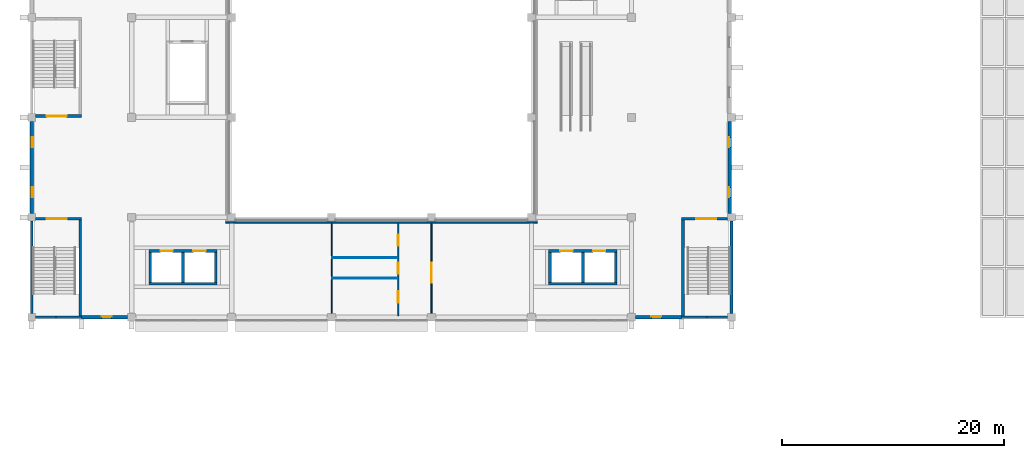
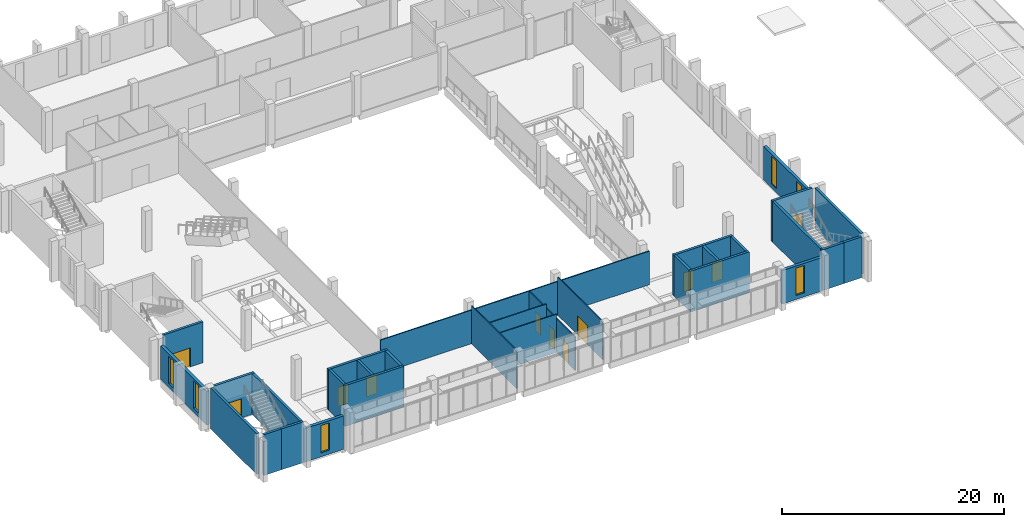
# One storey, part 26 of 45: 31 walls, 11 doors, 6 windows, 17 openings.
"""IFC4 building model written with IfcOpenShell, lengths in metres."""

from ifc_helpers import new_model, si_unit, direction, frame, frame_2d, origin, place, context, subcontext, project, spatial, rectangle, extrude, material, layer, layer_set, type_object, element, fill, save


model = new_model("IFC4")

# Units and contexts
model_context = context("Model", 3, precision=1e-05, world=origin(), true_north=direction((0.0, 1.0)))
body_context = subcontext(model_context, "Body", "Model", "MODEL_VIEW")
ifc_project = project(units=[si_unit("LENGTHUNIT", "METRE"), si_unit("AREAUNIT", "SQUARE_METRE"), si_unit("VOLUMEUNIT", "CUBIC_METRE"), si_unit("PLANEANGLEUNIT", "RADIAN"), si_unit("MASSUNIT", "GRAM", prefix="KILO")], contexts=[model_context])

# Site, building, storey
site_placement = place(None, origin())
site = spatial("IfcSite", under=ifc_project, at=site_placement, CompositionType="ELEMENT")
building_placement = place(site_placement, origin())
building = spatial("IfcBuilding", under=site, at=building_placement, Name="Guidao Yard Department Store", CompositionType="ELEMENT")
storey_placement = place(building_placement, frame((0.0, 0.0, 19.5)))
storey = spatial("IfcBuildingStorey", under=building, at=storey_placement, Name="L04", CompositionType="ELEMENT", Elevation=19.5)

# Walls
ifc_material_1 = material(Name="Moisture-resistant board on Steel Q235 studs", Category="steel")
ifc_layer_1 = layer(ifc_material_1, 0.080078125)
ifc_layer_set_1 = layer_set([ifc_layer_1], Name="Cubicle and Duct Partition P8 80 mm moisture-resistant board")
wall_type_1 = type_object("IfcWallType", Name="Cubicle and Duct Partition P8 80 mm moisture-resistant board", PredefinedType="PARTITIONING", material=ifc_layer_set_1)
for number, where, z_axis, x_axis, name in (
    (1, (27.050048828125, 48.510009765625, 0.0), (0.0, 0.0, 1.0), (1.0, 0.0, 0.0), "Wall W-HL04-004"),
    (2, (27.050048828125, 50.35791015625, 0.0), (0.0, 0.0, 1.0), (1.0, 0.0, 0.0), "Wall W-HL04-005"),
):
    element("IfcWall", number, at=place(storey_placement, frame(where, z_axis=z_axis, x_axis=x_axis)), inside=storey, type_object=wall_type_1, Name=name, PredefinedType="PARTITIONING", context=body_context, shape_type="SweptSolid", body=[
        extrude(rectangle(XDim=5.89990234375, YDim=0.080078125, at=frame_2d((2.949951171875, 0.0))), origin(), (0.0, 0.0, 1.0), 4.199951171875),
    ])
ifc_material_2 = material(Name="Fire-rated glazing in Steel Q235 frame", Category="steel")
ifc_layer_2 = layer(ifc_material_2, 0.1201171875)
ifc_layer_set_2 = layer_set([ifc_layer_2], Name="Fire-Glazed Screen P5 120 mm EI 60")
wall_type_2 = type_object("IfcWallType", Name="Fire-Glazed Screen P5 120 mm EI 60", PredefinedType="PARTITIONING", material=ifc_layer_set_2)
wall_1_placement = place(storey_placement, frame((17.489990234375, 53.550048828125, 0.0), z_axis=(0.0, 0.0, 1.0), x_axis=(1.0, 0.0, 0.0)))
element("IfcWall", 3, at=wall_1_placement, inside=storey, type_object=wall_type_2, Name="Wall W-HL04-006", PredefinedType="PARTITIONING", context=body_context, shape_type="SweptSolid", body=[
    extrude(rectangle(XDim=28.02001953125, YDim=0.1201171875, at=frame_2d((14.010009765625, 0.0))), origin(), (0.0, 0.0, 1.0), 3.699951171875),
])

# Wall, opening, window
ifc_material_3 = material(Name="Concrete C35", Category="concrete")
ifc_layer_3 = layer(ifc_material_3, 0.300048828125)
ifc_layer_set_3 = layer_set([ifc_layer_3], Name="Hall facade wall 300 C35")
wall_type_3 = type_object("IfcWallType", Name="Hall facade wall 300 C35", PredefinedType="SOLIDWALL", material=ifc_layer_set_3)
wall_2_placement = place(storey_placement, frame((8.64990234375, 45.0, 0.0), z_axis=(0.0, 0.0, 1.0), x_axis=(-1.0, 0.0, 0.0)))
wall_2 = element("IfcWall", 4, at=wall_2_placement, inside=storey, type_object=wall_type_3, Name="Hall facade wall", PredefinedType="SOLIDWALL", context=body_context, shape_type="SweptSolid", body=[
    extrude(rectangle(XDim=4.14990234375, YDim=0.300048828125, at=frame_2d((2.074951171875, 0.0))), origin(), (0.0, 0.0, 1.0), 3.699951171875),
])
opening_1_placement = place(wall_2_placement, frame((1.449951171875, 0.0, 0.449951171875)))
opening_1 = element("IfcOpeningElement", 5, at=opening_1_placement, cuts=wall_2, Name="Opening WN-L04-E01", PredefinedType="OPENING", context=body_context, shape_type="SweptSolid", body=[
    extrude(rectangle(XDim=0.89990234375, YDim=3.0, at=frame_2d((0.449951171875, 1.5))), frame((0.0, 0.159912109375, 0.0), z_axis=(0.0, -1.0, 0.0), x_axis=(1.0, 0.0, 0.0)), (0.0, 0.0, 1.0), 0.320068359375),
])
ifc_material_4 = material(Name="Laminated glass in aluminium frame", Category="aluminium")
window_type = type_object("IfcWindowType", Name="Slot window SL1 900 x 3000 fixed", PartitioningType="SINGLE_PANEL", PredefinedType="WINDOW", material=ifc_material_4)
window_1_placement = place(opening_1_placement, origin())
window_1 = element("IfcWindow", 6, at=window_1_placement, inside=storey, type_object=window_type, Name="Slot window", OverallHeight=3.0, OverallWidth=0.89990234375, PartitioningType="SINGLE_PANEL", PredefinedType="WINDOW", context=body_context, shape_type="SweptSolid", body=[
    extrude(rectangle(XDim=0.89990234375, YDim=3.0, at=frame_2d((0.449951171875, 1.5))), frame((0.0, -0.030029296875, 0.0), z_axis=(0.0, -1.0, 0.0), x_axis=(1.0, 0.0, 0.0)), (0.0, 0.0, 1.0), 0.06005859375),
])
fill(opening_1, window_1)

wall_3_placement = place(storey_placement, frame((58.5, 45.0, 0.0), z_axis=(0.0, 0.0, 1.0), x_axis=(-1.0, 0.0, 0.0)))
wall_3 = element("IfcWall", 7, at=wall_3_placement, inside=storey, type_object=wall_type_3, Name="Hall facade wall", PredefinedType="SOLIDWALL", context=body_context, shape_type="SweptSolid", body=[
    extrude(rectangle(XDim=4.14990234375, YDim=0.300048828125, at=frame_2d((2.074951171875, 0.0))), origin(), (0.0, 0.0, 1.0), 3.699951171875),
])
opening_2_placement = place(wall_3_placement, frame((1.800048828125, 0.0, 0.449951171875)))
opening_2 = element("IfcOpeningElement", 8, at=opening_2_placement, cuts=wall_3, Name="Opening WN-L04-E02", PredefinedType="OPENING", context=body_context, shape_type="SweptSolid", body=[
    extrude(rectangle(XDim=0.89990234375, YDim=3.0, at=frame_2d((0.449951171875, 1.5))), frame((0.0, 0.159912109375, 0.0), z_axis=(0.0, -1.0, 0.0), x_axis=(1.0, 0.0, 0.0)), (0.0, 0.0, 1.0), 0.320068359375),
])
window_2_placement = place(opening_2_placement, origin())
window_2 = element("IfcWindow", 9, at=window_2_placement, inside=storey, type_object=window_type, Name="Slot window", OverallHeight=3.0, OverallWidth=0.89990234375, PartitioningType="SINGLE_PANEL", PredefinedType="WINDOW", context=body_context, shape_type="SweptSolid", body=[
    extrude(rectangle(XDim=0.89990234375, YDim=3.0, at=frame_2d((0.449951171875, 1.5))), frame((0.0, -0.030029296875, 0.0), z_axis=(0.0, -1.0, 0.0), x_axis=(1.0, 0.0, 0.0)), (0.0, 0.0, 1.0), 0.06005859375),
])
fill(opening_2, window_2)

# Wall, openings, windows
wall_4_placement = place(storey_placement, frame((0.0, 54.35009765625, 0.0), z_axis=(0.0, 0.0, 1.0), x_axis=(0.0, 1.0, 0.0)))
wall_4 = element("IfcWall", 10, at=wall_4_placement, inside=storey, type_object=wall_type_3, Name="Hall facade wall", PredefinedType="SOLIDWALL", context=body_context, shape_type="SweptSolid", body=[
    extrude(rectangle(XDim=8.2998046875, YDim=0.300048828125, at=frame_2d((4.14990234375, 0.0))), origin(), (0.0, 0.0, 1.0), 3.699951171875),
])
opening_3_placement = place(wall_4_placement, frame((1.449951171875, 0.0, 0.449951171875)))
opening_3 = element("IfcOpeningElement", 11, at=opening_3_placement, cuts=wall_4, Name="Opening WN-L04-E03", PredefinedType="OPENING", context=body_context, shape_type="SweptSolid", body=[
    extrude(rectangle(XDim=0.89990234375, YDim=3.0, at=frame_2d((0.449951171875, 1.5))), frame((0.0, 0.159912109375, 0.0), z_axis=(0.0, -1.0, 0.0), x_axis=(1.0, 0.0, 0.0)), (0.0, 0.0, 1.0), 0.320068359375),
])
opening_4_placement = place(wall_4_placement, frame((5.949951171875, 0.0, 0.449951171875)))
opening_4 = element("IfcOpeningElement", 12, at=opening_4_placement, cuts=wall_4, Name="Opening WN-L04-E04", PredefinedType="OPENING", context=body_context, shape_type="SweptSolid", body=[
    extrude(rectangle(XDim=0.89990234375, YDim=3.0, at=frame_2d((0.449951171875, 1.5))), frame((0.0, 0.159912109375, 0.0), z_axis=(0.0, -1.0, 0.0), x_axis=(1.0, 0.0, 0.0)), (0.0, 0.0, 1.0), 0.320068359375),
])
window_3_placement = place(opening_3_placement, origin())
window_3 = element("IfcWindow", 13, at=window_3_placement, inside=storey, type_object=window_type, Name="Slot window", OverallHeight=3.0, OverallWidth=0.89990234375, PartitioningType="SINGLE_PANEL", PredefinedType="WINDOW", context=body_context, shape_type="SweptSolid", body=[
    extrude(rectangle(XDim=0.89990234375, YDim=3.0, at=frame_2d((0.449951171875, 1.5))), frame((0.0, -0.030029296875, 0.0), z_axis=(0.0, -1.0, 0.0), x_axis=(1.0, 0.0, 0.0)), (0.0, 0.0, 1.0), 0.06005859375),
])
fill(opening_3, window_3)
window_4_placement = place(opening_4_placement, origin())
window_4 = element("IfcWindow", 14, at=window_4_placement, inside=storey, type_object=window_type, Name="Slot window", OverallHeight=3.0, OverallWidth=0.89990234375, PartitioningType="SINGLE_PANEL", PredefinedType="WINDOW", context=body_context, shape_type="SweptSolid", body=[
    extrude(rectangle(XDim=0.89990234375, YDim=3.0, at=frame_2d((0.449951171875, 1.5))), frame((0.0, -0.030029296875, 0.0), z_axis=(0.0, -1.0, 0.0), x_axis=(1.0, 0.0, 0.0)), (0.0, 0.0, 1.0), 0.06005859375),
])
fill(opening_4, window_4)

wall_5_placement = place(storey_placement, frame((62.85009765625, 62.64990234375, 0.0), z_axis=(0.0, 0.0, 1.0), x_axis=(0.0, -1.0, 0.0)))
wall_5 = element("IfcWall", 15, at=wall_5_placement, inside=storey, type_object=wall_type_3, Name="Hall facade wall", PredefinedType="SOLIDWALL", context=body_context, shape_type="SweptSolid", body=[
    extrude(rectangle(XDim=8.2998046875, YDim=0.300048828125, at=frame_2d((4.14990234375, 0.0))), origin(), (0.0, 0.0, 1.0), 3.699951171875),
])
opening_5_placement = place(wall_5_placement, frame((5.949951171875, 0.0, 0.449951171875)))
opening_5 = element("IfcOpeningElement", 16, at=opening_5_placement, cuts=wall_5, Name="Opening WN-L04-E19", PredefinedType="OPENING", context=body_context, shape_type="SweptSolid", body=[
    extrude(rectangle(XDim=0.89990234375, YDim=3.0, at=frame_2d((0.449951171875, 1.5))), frame((0.0, 0.159912109375, 0.0), z_axis=(0.0, -1.0, 0.0), x_axis=(1.0, 0.0, 0.0)), (0.0, 0.0, 1.0), 0.320068359375),
])
opening_6_placement = place(wall_5_placement, frame((1.449951171875, 0.0, 0.449951171875)))
opening_6 = element("IfcOpeningElement", 17, at=opening_6_placement, cuts=wall_5, Name="Opening WN-L04-E20", PredefinedType="OPENING", context=body_context, shape_type="SweptSolid", body=[
    extrude(rectangle(XDim=0.89990234375, YDim=3.0, at=frame_2d((0.449951171875, 1.5))), frame((0.0, 0.159912109375, 0.0), z_axis=(0.0, -1.0, 0.0), x_axis=(1.0, 0.0, 0.0)), (0.0, 0.0, 1.0), 0.320068359375),
])
window_5_placement = place(opening_5_placement, origin())
window_5 = element("IfcWindow", 18, at=window_5_placement, inside=storey, type_object=window_type, Name="Slot window", OverallHeight=3.0, OverallWidth=0.89990234375, PartitioningType="SINGLE_PANEL", PredefinedType="WINDOW", context=body_context, shape_type="SweptSolid", body=[
    extrude(rectangle(XDim=0.89990234375, YDim=3.0, at=frame_2d((0.449951171875, 1.5))), frame((0.0, -0.030029296875, 0.0), z_axis=(0.0, -1.0, 0.0), x_axis=(1.0, 0.0, 0.0)), (0.0, 0.0, 1.0), 0.06005859375),
])
fill(opening_5, window_5)
window_6_placement = place(opening_6_placement, origin())
window_6 = element("IfcWindow", 19, at=window_6_placement, inside=storey, type_object=window_type, Name="Slot window", OverallHeight=3.0, OverallWidth=0.89990234375, PartitioningType="SINGLE_PANEL", PredefinedType="WINDOW", context=body_context, shape_type="SweptSolid", body=[
    extrude(rectangle(XDim=0.89990234375, YDim=3.0, at=frame_2d((0.449951171875, 1.5))), frame((0.0, -0.030029296875, 0.0), z_axis=(0.0, -1.0, 0.0), x_axis=(1.0, 0.0, 0.0)), (0.0, 0.0, 1.0), 0.06005859375),
])
fill(opening_6, window_6)

# Wall, openings, doors
ifc_material_5 = material(Name="Gypsum board on Steel Q235 studs", Category="steel")
ifc_layer_4 = layer(ifc_material_5, 0.10009765625)
ifc_layer_set_4 = layer_set([ifc_layer_4], Name="Partition P1 100 mm gypsum board EI 30")
wall_type_4 = type_object("IfcWallType", Name="Partition P1 100 mm gypsum board EI 30", PredefinedType="PARTITIONING", material=ifc_layer_set_4)
wall_6_placement = place(storey_placement, frame((33.0, 45.14990234375, 0.0), z_axis=(0.0, 0.0, 1.0), x_axis=(0.0, 1.0, 0.0)))
wall_6 = element("IfcWall", 20, at=wall_6_placement, inside=storey, type_object=wall_type_4, Name="Wall W-HL04-001", PredefinedType="PARTITIONING", context=body_context, shape_type="SweptSolid", body=[
    extrude(rectangle(XDim=8.340087890625, YDim=0.10009765625, at=frame_2d((4.169921875, 0.0))), origin(), (0.0, 0.0, 1.0), 3.699951171875),
])
opening_7_placement = place(wall_6_placement, frame((1.179931640625, 0.0, 0.0)))
opening_7 = element("IfcOpeningElement", 21, at=opening_7_placement, cuts=wall_6, Name="Opening HL04-001", PredefinedType="OPENING", context=body_context, shape_type="SweptSolid", body=[
    extrude(rectangle(XDim=1.0, YDim=2.10009765625, at=frame_2d((0.5, 1.050048828125))), frame((0.0, 0.06005859375, 0.0), z_axis=(0.0, -1.0, 0.0), x_axis=(1.0, 0.0, 0.0)), (0.0, 0.0, 1.0), 0.1201171875),
])
opening_8_placement = place(wall_6_placement, frame((3.783935546875, 0.0, 0.0)))
opening_8 = element("IfcOpeningElement", 22, at=opening_8_placement, cuts=wall_6, Name="Opening HL04-003", PredefinedType="OPENING", context=body_context, shape_type="SweptSolid", body=[
    extrude(rectangle(XDim=1.0, YDim=2.10009765625, at=frame_2d((0.5, 1.050048828125))), frame((0.0, 0.06005859375, 0.0), z_axis=(0.0, -1.0, 0.0), x_axis=(1.0, 0.0, 0.0)), (0.0, 0.0, 1.0), 0.1201171875),
])
opening_9_placement = place(wall_6_placement, frame((6.303955078125, 0.0, 0.0)))
opening_9 = element("IfcOpeningElement", 23, at=opening_9_placement, cuts=wall_6, Name="Opening HL04-004", PredefinedType="OPENING", context=body_context, shape_type="SweptSolid", body=[
    extrude(rectangle(XDim=1.0, YDim=2.10009765625, at=frame_2d((0.5, 1.050048828125))), frame((0.0, 0.06005859375, 0.0), z_axis=(0.0, -1.0, 0.0), x_axis=(1.0, 0.0, 0.0)), (0.0, 0.0, 1.0), 0.1201171875),
])
ifc_material_6 = material(Name="Timber door leaf", Category="wood")
door_type_1 = type_object("IfcDoorType", Name="Door AD10 accessible WC 1000 x 2100", OperationType="SINGLE_SWING_LEFT", PredefinedType="DOOR", material=ifc_material_6)
door_1_placement = place(opening_8_placement, origin())
door_1 = element("IfcDoor", 24, at=door_1_placement, inside=storey, type_object=door_type_1, Name="Door HL04-003", OperationType="SINGLE_SWING_RIGHT", OverallHeight=2.10009765625, OverallWidth=1.0, PredefinedType="DOOR", context=body_context, shape_type="SweptSolid", body=[
    extrude(rectangle(XDim=1.0, YDim=2.10009765625, at=frame_2d((0.5, 1.050048828125))), frame((0.0, 0.02490234375, 0.0), z_axis=(0.0, -1.0, 0.0), x_axis=(1.0, 0.0, 0.0)), (0.0, 0.0, 1.0), 0.050048828125),
])
fill(opening_8, door_1)
ifc_material_7 = material(Name="Timber door leaf", Category="wood")
door_type_2 = type_object("IfcDoorType", Name="Door D2 1000 x 2100", OperationType="SINGLE_SWING_LEFT", PredefinedType="DOOR", material=ifc_material_7)
door_2_placement = place(opening_7_placement, origin())
door_2 = element("IfcDoor", 25, at=door_2_placement, inside=storey, type_object=door_type_2, Name="Door HL04-001", OperationType="SINGLE_SWING_LEFT", OverallHeight=2.10009765625, OverallWidth=1.0, PredefinedType="DOOR", context=body_context, shape_type="SweptSolid", body=[
    extrude(rectangle(XDim=1.0, YDim=2.10009765625, at=frame_2d((0.5, 1.050048828125))), frame((0.0, 0.02490234375, 0.0), z_axis=(0.0, -1.0, 0.0), x_axis=(1.0, 0.0, 0.0)), (0.0, 0.0, 1.0), 0.050048828125),
])
fill(opening_7, door_2)
door_3_placement = place(opening_9_placement, origin())
door_3 = element("IfcDoor", 26, at=door_3_placement, inside=storey, type_object=door_type_2, Name="Door HL04-004", OperationType="SINGLE_SWING_RIGHT", OverallHeight=2.10009765625, OverallWidth=1.0, PredefinedType="DOOR", context=body_context, shape_type="SweptSolid", body=[
    extrude(rectangle(XDim=1.0, YDim=2.10009765625, at=frame_2d((0.5, 1.050048828125))), frame((0.0, 0.02490234375, 0.0), z_axis=(0.0, -1.0, 0.0), x_axis=(1.0, 0.0, 0.0)), (0.0, 0.0, 1.0), 0.050048828125),
])
fill(opening_9, door_3)

# Wall
wall_7_placement = place(storey_placement, frame((27.0, 45.35009765625, 0.0), z_axis=(0.0, 0.0, 1.0), x_axis=(0.0, 1.0, 0.0)))
element("IfcWall", 27, at=wall_7_placement, inside=storey, type_object=wall_type_4, Name="Wall W-HL04-002", PredefinedType="PARTITIONING", context=body_context, shape_type="SweptSolid", body=[
    extrude(rectangle(XDim=8.139892578125, YDim=0.10009765625, at=frame_2d((4.06982421875, 0.0))), origin(), (0.0, 0.0, 1.0), 4.199951171875),
])

# Wall, opening, door
wall_8_placement = place(storey_placement, frame((36.0, 45.35009765625, 0.0), z_axis=(0.0, 0.0, 1.0), x_axis=(0.0, 1.0, 0.0)))
wall_8 = element("IfcWall", 28, at=wall_8_placement, inside=storey, type_object=wall_type_4, Name="Wall W-HL04-003", PredefinedType="PARTITIONING", context=body_context, shape_type="SweptSolid", body=[
    extrude(rectangle(XDim=8.139892578125, YDim=0.10009765625, at=frame_2d((4.06982421875, 0.0))), origin(), (0.0, 0.0, 1.0), 4.199951171875),
])
opening_10_placement = place(wall_8_placement, frame((4.550048828125, 0.0, 0.0), z_axis=(0.0, 0.0, 1.0), x_axis=(-1.0, 0.0, 0.0)))
opening_10 = element("IfcOpeningElement", 29, at=opening_10_placement, cuts=wall_8, Name="Opening HL04-002", PredefinedType="OPENING", context=body_context, shape_type="SweptSolid", body=[
    extrude(rectangle(XDim=1.800048828125, YDim=2.10009765625, at=frame_2d((0.89990234375, 1.050048828125))), frame((0.0, 0.06005859375, 0.0), z_axis=(0.0, -1.0, 0.0), x_axis=(1.0, 0.0, 0.0)), (0.0, 0.0, 1.0), 0.1201171875),
])
ifc_material_8 = material(Name="Timber door leaf", Category="wood")
door_type_3 = type_object("IfcDoorType", Name="Door D3 double 1800 x 2100", OperationType="DOUBLE_DOOR_SINGLE_SWING", PredefinedType="DOOR", material=ifc_material_8)
door_4_placement = place(opening_10_placement, origin())
door_4 = element("IfcDoor", 30, at=door_4_placement, inside=storey, type_object=door_type_3, Name="Door HL04-002", OperationType="DOUBLE_DOOR_SINGLE_SWING", OverallHeight=2.10009765625, OverallWidth=1.800048828125, PredefinedType="DOOR", context=body_context, shape_type="SweptSolid", body=[
    extrude(rectangle(XDim=1.800048828125, YDim=2.10009765625, at=frame_2d((0.89990234375, 1.050048828125))), frame((0.0, 0.02490234375, 0.0), z_axis=(0.0, -1.0, 0.0), x_axis=(1.0, 0.0, 0.0)), (0.0, 0.0, 1.0), 0.050048828125),
])
fill(opening_10, door_4)

ifc_material_9 = material(Name="Concrete C40", Category="concrete")
ifc_layer_5 = layer(ifc_material_9, 0.25)
ifc_layer_set_5 = layer_set([ifc_layer_5], Name="Wall RC 250 C40 stair and shaft")
wall_type_5 = type_object("IfcWallType", Name="Wall RC 250 C40 stair and shaft", PredefinedType="SHEAR", material=ifc_layer_set_5)
wall_9_placement = place(storey_placement, frame((0.35009765625, 63.125, 0.0), z_axis=(0.0, 0.0, 1.0), x_axis=(1.0, 0.0, 0.0)))
wall_9 = element("IfcWall", 31, at=wall_9_placement, inside=storey, type_object=wall_type_5, Name="Stair wall SA1", PredefinedType="SHEAR", context=body_context, shape_type="SweptSolid", body=[
    extrude(rectangle(XDim=4.14990234375, YDim=0.25, at=frame_2d((2.074951171875, 0.0))), origin(), (0.0, 0.0, 1.0), 4.5),
])
opening_11_placement = place(wall_9_placement, frame((1.0, 0.0, 0.0)))
opening_11 = element("IfcOpeningElement", 32, at=opening_11_placement, cuts=wall_9, Name="Opening L04-800", PredefinedType="OPENING", context=body_context, shape_type="SweptSolid", body=[
    extrude(rectangle(XDim=1.800048828125, YDim=2.10009765625, at=frame_2d((0.89990234375, 1.050048828125))), frame((0.0, 0.135009765625, 0.0), z_axis=(0.0, -1.0, 0.0), x_axis=(1.0, 0.0, 0.0)), (0.0, 0.0, 1.0), 0.27001953125),
])
ifc_material_10 = material(Name="Steel Q235", Category="steel")
door_type_4 = type_object("IfcDoorType", Name="Door fire-resisting 1800 x 2100 FD60", OperationType="DOUBLE_DOOR_SINGLE_SWING", PredefinedType="DOOR", material=ifc_material_10)
door_5_placement = place(opening_11_placement, origin())
door_5 = element("IfcDoor", 33, at=door_5_placement, inside=storey, type_object=door_type_4, Name="Stair A1 door L04", OperationType="DOUBLE_DOOR_SINGLE_SWING", OverallHeight=2.10009765625, OverallWidth=1.800048828125, PredefinedType="DOOR", context=body_context, shape_type="SweptSolid", body=[
    extrude(rectangle(XDim=1.800048828125, YDim=2.10009765625, at=frame_2d((0.89990234375, 1.050048828125))), frame((0.0, 0.02490234375, 0.0), z_axis=(0.0, -1.0, 0.0), x_axis=(1.0, 0.0, 0.0)), (0.0, 0.0, 1.0), 0.050048828125),
])
fill(opening_11, door_5)

# Walls
wall_10_placement = place(storey_placement, frame((58.5, 45.0, 0.0), z_axis=(0.0, 0.0, 1.0), x_axis=(1.0, 0.0, 0.0)))
element("IfcWall", 34, at=wall_10_placement, inside=storey, type_object=wall_type_5, Name="Stair wall SA2", PredefinedType="SHEAR", context=body_context, shape_type="SweptSolid", body=[
    extrude(rectangle(XDim=2.31201171875, YDim=0.25, at=frame_2d((1.156005859375, 0.0))), origin(), (0.0, 0.0, 1.0), 4.5),
])
wall_11_placement = place(storey_placement, frame((60.81201171875, 45.0, 0.0), z_axis=(0.0, 0.0, 1.0), x_axis=(1.0, 0.0, 0.0)))
element("IfcWall", 35, at=wall_11_placement, inside=storey, type_object=wall_type_5, Name="Stair wall SA2", PredefinedType="SHEAR", context=body_context, shape_type="SweptSolid", body=[
    extrude(rectangle(XDim=1.837890625, YDim=0.25, at=frame_2d((0.9189453125, 0.0))), origin(), (0.0, 0.0, 1.0), 4.5),
])

# Wall, opening, door
wall_12_placement = place(storey_placement, frame((58.5, 53.875, 0.0), z_axis=(0.0, 0.0, 1.0), x_axis=(1.0, 0.0, 0.0)))
wall_12 = element("IfcWall", 36, at=wall_12_placement, inside=storey, type_object=wall_type_5, Name="Stair wall SA2", PredefinedType="SHEAR", context=body_context, shape_type="SweptSolid", body=[
    extrude(rectangle(XDim=4.14990234375, YDim=0.25, at=frame_2d((2.074951171875, 0.0))), origin(), (0.0, 0.0, 1.0), 4.5),
])
opening_12_placement = place(wall_12_placement, frame((3.150146484375, 0.0, 0.0), z_axis=(0.0, 0.0, 1.0), x_axis=(-1.0, 0.0, 0.0)))
opening_12 = element("IfcOpeningElement", 37, at=opening_12_placement, cuts=wall_12, Name="Opening L04-801", PredefinedType="OPENING", context=body_context, shape_type="SweptSolid", body=[
    extrude(rectangle(XDim=1.800048828125, YDim=2.10009765625, at=frame_2d((0.89990234375, 1.050048828125))), frame((0.0, 0.135009765625, 0.0), z_axis=(0.0, -1.0, 0.0), x_axis=(1.0, 0.0, 0.0)), (0.0, 0.0, 1.0), 0.27001953125),
])
door_6_placement = place(opening_12_placement, origin())
door_6 = element("IfcDoor", 38, at=door_6_placement, inside=storey, type_object=door_type_4, Name="Stair A2 door L04", OperationType="DOUBLE_DOOR_SINGLE_SWING", OverallHeight=2.10009765625, OverallWidth=1.800048828125, PredefinedType="DOOR", context=body_context, shape_type="SweptSolid", body=[
    extrude(rectangle(XDim=1.800048828125, YDim=2.10009765625, at=frame_2d((0.89990234375, 1.050048828125))), frame((0.0, 0.02490234375, 0.0), z_axis=(0.0, -1.0, 0.0), x_axis=(1.0, 0.0, 0.0)), (0.0, 0.0, 1.0), 0.050048828125),
])
fill(opening_12, door_6)

# Walls
wall_13_placement = place(storey_placement, frame((58.625, 45.125, 0.0), z_axis=(0.0, 0.0, 1.0), x_axis=(0.0, 1.0, 0.0)))
element("IfcWall", 39, at=wall_13_placement, inside=storey, type_object=wall_type_5, Name="Stair wall SA2", PredefinedType="SHEAR", context=body_context, shape_type="SweptSolid", body=[
    extrude(rectangle(XDim=8.625, YDim=0.25, at=frame_2d((4.3125, 0.0))), origin(), (0.0, 0.0, 1.0), 4.5),
])
wall_14_placement = place(storey_placement, frame((63.0, 45.35009765625, 0.0), z_axis=(0.0, 0.0, 1.0), x_axis=(0.0, 1.0, 0.0)))
element("IfcWall", 40, at=wall_14_placement, inside=storey, type_object=wall_type_5, Name="Stair wall SA2", PredefinedType="SHEAR", context=body_context, shape_type="SweptSolid", body=[
    extrude(rectangle(XDim=8.2998046875, YDim=0.25, at=frame_2d((4.14990234375, 0.0))), origin(), (0.0, 0.0, 1.0), 4.5),
])
wall_15_placement = place(storey_placement, frame((0.35009765625, 45.0, 0.0), z_axis=(0.0, 0.0, 1.0), x_axis=(1.0, 0.0, 0.0)))
element("IfcWall", 41, at=wall_15_placement, inside=storey, type_object=wall_type_5, Name="Stair wall SA8", PredefinedType="SHEAR", context=body_context, shape_type="SweptSolid", body=[
    extrude(rectangle(XDim=1.837890625, YDim=0.25, at=frame_2d((0.9189453125, 0.0))), origin(), (0.0, 0.0, 1.0), 4.5),
])
wall_16_placement = place(storey_placement, frame((2.18798828125, 45.0, 0.0), z_axis=(0.0, 0.0, 1.0), x_axis=(1.0, 0.0, 0.0)))
element("IfcWall", 42, at=wall_16_placement, inside=storey, type_object=wall_type_5, Name="Stair wall SA8", PredefinedType="SHEAR", context=body_context, shape_type="SweptSolid", body=[
    extrude(rectangle(XDim=2.31201171875, YDim=0.25, at=frame_2d((1.156005859375, 0.0))), origin(), (0.0, 0.0, 1.0), 4.5),
])

# Wall, opening, door
wall_17_placement = place(storey_placement, frame((0.35009765625, 53.875, 0.0), z_axis=(0.0, 0.0, 1.0), x_axis=(1.0, 0.0, 0.0)))
wall_17 = element("IfcWall", 43, at=wall_17_placement, inside=storey, type_object=wall_type_5, Name="Stair wall SA8", PredefinedType="SHEAR", context=body_context, shape_type="SweptSolid", body=[
    extrude(rectangle(XDim=4.14990234375, YDim=0.25, at=frame_2d((2.074951171875, 0.0))), origin(), (0.0, 0.0, 1.0), 4.5),
])
opening_13_placement = place(wall_17_placement, frame((2.800048828125, 0.0, 0.0), z_axis=(0.0, 0.0, 1.0), x_axis=(-1.0, 0.0, 0.0)))
opening_13 = element("IfcOpeningElement", 44, at=opening_13_placement, cuts=wall_17, Name="Opening L04-807", PredefinedType="OPENING", context=body_context, shape_type="SweptSolid", body=[
    extrude(rectangle(XDim=1.800048828125, YDim=2.10009765625, at=frame_2d((0.89990234375, 1.050048828125))), frame((0.0, 0.135009765625, 0.0), z_axis=(0.0, -1.0, 0.0), x_axis=(1.0, 0.0, 0.0)), (0.0, 0.0, 1.0), 0.27001953125),
])
door_7_placement = place(opening_13_placement, origin())
door_7 = element("IfcDoor", 45, at=door_7_placement, inside=storey, type_object=door_type_4, Name="Stair A8 door L04", OperationType="DOUBLE_DOOR_SINGLE_SWING", OverallHeight=2.10009765625, OverallWidth=1.800048828125, PredefinedType="DOOR", context=body_context, shape_type="SweptSolid", body=[
    extrude(rectangle(XDim=1.800048828125, YDim=2.10009765625, at=frame_2d((0.89990234375, 1.050048828125))), frame((0.0, 0.02490234375, 0.0), z_axis=(0.0, -1.0, 0.0), x_axis=(1.0, 0.0, 0.0)), (0.0, 0.0, 1.0), 0.050048828125),
])
fill(opening_13, door_7)

# Walls
wall_18_placement = place(storey_placement, frame((0.0, 45.35009765625, 0.0), z_axis=(0.0, 0.0, 1.0), x_axis=(0.0, 1.0, 0.0)))
element("IfcWall", 46, at=wall_18_placement, inside=storey, type_object=wall_type_5, Name="Stair wall SA8", PredefinedType="SHEAR", context=body_context, shape_type="SweptSolid", body=[
    extrude(rectangle(XDim=8.2998046875, YDim=0.25, at=frame_2d((4.14990234375, 0.0))), origin(), (0.0, 0.0, 1.0), 4.5),
])
wall_19_placement = place(storey_placement, frame((4.375, 45.125, 0.0), z_axis=(0.0, 0.0, 1.0), x_axis=(0.0, 1.0, 0.0)))
element("IfcWall", 47, at=wall_19_placement, inside=storey, type_object=wall_type_5, Name="Stair wall SA8", PredefinedType="SHEAR", context=body_context, shape_type="SweptSolid", body=[
    extrude(rectangle(XDim=8.625, YDim=0.25, at=frame_2d((4.3125, 0.0))), origin(), (0.0, 0.0, 1.0), 4.5),
])

# Wall, openings, doors
wall_20_placement = place(storey_placement, frame((10.550048828125, 50.97509765625, 0.0), z_axis=(0.0, 0.0, 1.0), x_axis=(1.0, 0.0, 0.0)))
wall_20 = element("IfcWall", 48, at=wall_20_placement, inside=storey, type_object=wall_type_5, Name="Lift shaft wall HL1 to HL2", PredefinedType="SHEAR", context=body_context, shape_type="SweptSolid", body=[
    extrude(rectangle(XDim=6.14990234375, YDim=0.25, at=frame_2d((3.074951171875, 0.0))), origin(), (0.0, 0.0, 1.0), 4.5),
])
opening_14_placement = place(wall_20_placement, frame((1.050048828125, 0.0, 0.0)))
opening_14 = element("IfcOpeningElement", 49, at=opening_14_placement, cuts=wall_20, Name="Opening LD-HL1-L04", PredefinedType="OPENING", context=body_context, shape_type="SweptSolid", body=[
    extrude(rectangle(XDim=1.10009765625, YDim=2.10009765625, at=frame_2d((0.550048828125, 1.050048828125))), frame((0.0, 0.135009765625, 0.0), z_axis=(0.0, -1.0, 0.0), x_axis=(1.0, 0.0, 0.0)), (0.0, 0.0, 1.0), 0.27001953125),
])
opening_15_placement = place(wall_20_placement, frame((4.0, 0.0, 0.0)))
opening_15 = element("IfcOpeningElement", 50, at=opening_15_placement, cuts=wall_20, Name="Opening LD-HL2-L04", PredefinedType="OPENING", context=body_context, shape_type="SweptSolid", body=[
    extrude(rectangle(XDim=1.10009765625, YDim=2.10009765625, at=frame_2d((0.550048828125, 1.050048828125))), frame((0.0, 0.135009765625, 0.0), z_axis=(0.0, -1.0, 0.0), x_axis=(1.0, 0.0, 0.0)), (0.0, 0.0, 1.0), 0.27001953125),
])
ifc_material_11 = material(Name="Stainless steel 06Cr19Ni10", Category="steel")
door_type_5 = type_object("IfcDoorType", Name="Lift landing door fire-resisting sliding 1100 x 2100", OperationType="DOUBLE_DOOR_SLIDING", PredefinedType="DOOR", material=ifc_material_11)
door_8_placement = place(opening_14_placement, origin())
door_8 = element("IfcDoor", 51, at=door_8_placement, inside=storey, type_object=door_type_5, Name="Lift landing door HL1 L04", OperationType="DOUBLE_DOOR_SLIDING", OverallHeight=2.10009765625, OverallWidth=1.10009765625, PredefinedType="DOOR", context=body_context, shape_type="SweptSolid", body=[
    extrude(rectangle(XDim=1.10009765625, YDim=2.10009765625, at=frame_2d((0.550048828125, 1.050048828125))), frame((0.0, 0.02490234375, 0.0), z_axis=(0.0, -1.0, 0.0), x_axis=(1.0, 0.0, 0.0)), (0.0, 0.0, 1.0), 0.050048828125),
])
fill(opening_14, door_8)
door_9_placement = place(opening_15_placement, origin())
door_9 = element("IfcDoor", 52, at=door_9_placement, inside=storey, type_object=door_type_5, Name="Lift landing door HL2 L04", OperationType="DOUBLE_DOOR_SLIDING", OverallHeight=2.10009765625, OverallWidth=1.10009765625, PredefinedType="DOOR", context=body_context, shape_type="SweptSolid", body=[
    extrude(rectangle(XDim=1.10009765625, YDim=2.10009765625, at=frame_2d((0.550048828125, 1.050048828125))), frame((0.0, 0.02490234375, 0.0), z_axis=(0.0, -1.0, 0.0), x_axis=(1.0, 0.0, 0.0)), (0.0, 0.0, 1.0), 0.050048828125),
])
fill(opening_15, door_9)

# Walls
wall_21_placement = place(storey_placement, frame((10.550048828125, 48.02490234375, 0.0), z_axis=(0.0, 0.0, 1.0), x_axis=(1.0, 0.0, 0.0)))
element("IfcWall", 53, at=wall_21_placement, inside=storey, type_object=wall_type_5, Name="Lift shaft wall HL1 to HL2", PredefinedType="SHEAR", context=body_context, shape_type="SweptSolid", body=[
    extrude(rectangle(XDim=6.14990234375, YDim=0.25, at=frame_2d((3.074951171875, 0.0))), origin(), (0.0, 0.0, 1.0), 4.5),
])
for number, where, z_axis, x_axis, name in (
    (54, (10.675048828125, 48.14990234375, 0.0), (0.0, 0.0, 1.0), (0.0, 1.0, 0.0), "Lift shaft wall HL1 to HL2"),
    (55, (13.625, 48.14990234375, 0.0), (0.0, 0.0, 1.0), (0.0, 1.0, 0.0), "Lift shaft wall HL1 to HL2"),
    (56, (16.574951171875, 48.14990234375, 0.0), (0.0, 0.0, 1.0), (0.0, 1.0, 0.0), "Lift shaft wall HL1 to HL2"),
):
    element("IfcWall", number, at=place(storey_placement, frame(where, z_axis=z_axis, x_axis=x_axis)), inside=storey, type_object=wall_type_5, Name=name, PredefinedType="SHEAR", context=body_context, shape_type="SweptSolid", body=[
        extrude(rectangle(XDim=2.7001953125, YDim=0.25, at=frame_2d((1.35009765625, 0.0))), origin(), (0.0, 0.0, 1.0), 4.5),
    ])

# Wall, openings, doors
wall_22_placement = place(storey_placement, frame((46.550048828125, 50.97509765625, 0.0), z_axis=(0.0, 0.0, 1.0), x_axis=(1.0, 0.0, 0.0)))
wall_22 = element("IfcWall", 57, at=wall_22_placement, inside=storey, type_object=wall_type_5, Name="Lift shaft wall HL3 to HL4", PredefinedType="SHEAR", context=body_context, shape_type="SweptSolid", body=[
    extrude(rectangle(XDim=6.14990234375, YDim=0.25, at=frame_2d((3.074951171875, 0.0))), origin(), (0.0, 0.0, 1.0), 4.5),
])
opening_16_placement = place(wall_22_placement, frame((1.050048828125, 0.0, 0.0)))
opening_16 = element("IfcOpeningElement", 58, at=opening_16_placement, cuts=wall_22, Name="Opening LD-HL3-L04", PredefinedType="OPENING", context=body_context, shape_type="SweptSolid", body=[
    extrude(rectangle(XDim=1.10009765625, YDim=2.10009765625, at=frame_2d((0.550048828125, 1.050048828125))), frame((0.0, 0.135009765625, 0.0), z_axis=(0.0, -1.0, 0.0), x_axis=(1.0, 0.0, 0.0)), (0.0, 0.0, 1.0), 0.27001953125),
])
opening_17_placement = place(wall_22_placement, frame((4.0, 0.0, 0.0)))
opening_17 = element("IfcOpeningElement", 59, at=opening_17_placement, cuts=wall_22, Name="Opening LD-HL4-L04", PredefinedType="OPENING", context=body_context, shape_type="SweptSolid", body=[
    extrude(rectangle(XDim=1.10009765625, YDim=2.10009765625, at=frame_2d((0.550048828125, 1.050048828125))), frame((0.0, 0.135009765625, 0.0), z_axis=(0.0, -1.0, 0.0), x_axis=(1.0, 0.0, 0.0)), (0.0, 0.0, 1.0), 0.27001953125),
])
door_10_placement = place(opening_16_placement, origin())
door_10 = element("IfcDoor", 60, at=door_10_placement, inside=storey, type_object=door_type_5, Name="Lift landing door HL3 L04", OperationType="DOUBLE_DOOR_SLIDING", OverallHeight=2.10009765625, OverallWidth=1.10009765625, PredefinedType="DOOR", context=body_context, shape_type="SweptSolid", body=[
    extrude(rectangle(XDim=1.10009765625, YDim=2.10009765625, at=frame_2d((0.550048828125, 1.050048828125))), frame((0.0, 0.02490234375, 0.0), z_axis=(0.0, -1.0, 0.0), x_axis=(1.0, 0.0, 0.0)), (0.0, 0.0, 1.0), 0.050048828125),
])
fill(opening_16, door_10)
door_11_placement = place(opening_17_placement, origin())
door_11 = element("IfcDoor", 61, at=door_11_placement, inside=storey, type_object=door_type_5, Name="Lift landing door HL4 L04", OperationType="DOUBLE_DOOR_SLIDING", OverallHeight=2.10009765625, OverallWidth=1.10009765625, PredefinedType="DOOR", context=body_context, shape_type="SweptSolid", body=[
    extrude(rectangle(XDim=1.10009765625, YDim=2.10009765625, at=frame_2d((0.550048828125, 1.050048828125))), frame((0.0, 0.02490234375, 0.0), z_axis=(0.0, -1.0, 0.0), x_axis=(1.0, 0.0, 0.0)), (0.0, 0.0, 1.0), 0.050048828125),
])
fill(opening_17, door_11)

# Walls
wall_23_placement = place(storey_placement, frame((46.550048828125, 48.02490234375, 0.0), z_axis=(0.0, 0.0, 1.0), x_axis=(1.0, 0.0, 0.0)))
element("IfcWall", 62, at=wall_23_placement, inside=storey, type_object=wall_type_5, Name="Lift shaft wall HL3 to HL4", PredefinedType="SHEAR", context=body_context, shape_type="SweptSolid", body=[
    extrude(rectangle(XDim=6.14990234375, YDim=0.25, at=frame_2d((3.074951171875, 0.0))), origin(), (0.0, 0.0, 1.0), 4.5),
])
for number, where, z_axis, x_axis, name in (
    (63, (46.675048828125, 48.14990234375, 0.0), (0.0, 0.0, 1.0), (0.0, 1.0, 0.0), "Lift shaft wall HL3 to HL4"),
    (64, (49.625, 48.14990234375, 0.0), (0.0, 0.0, 1.0), (0.0, 1.0, 0.0), "Lift shaft wall HL3 to HL4"),
    (65, (52.574951171875, 48.14990234375, 0.0), (0.0, 0.0, 1.0), (0.0, 1.0, 0.0), "Lift shaft wall HL3 to HL4"),
):
    element("IfcWall", number, at=place(storey_placement, frame(where, z_axis=z_axis, x_axis=x_axis)), inside=storey, type_object=wall_type_5, Name=name, PredefinedType="SHEAR", context=body_context, shape_type="SweptSolid", body=[
        extrude(rectangle(XDim=2.7001953125, YDim=0.25, at=frame_2d((1.35009765625, 0.0))), origin(), (0.0, 0.0, 1.0), 4.5),
    ])

save(model, "model.ifc")
